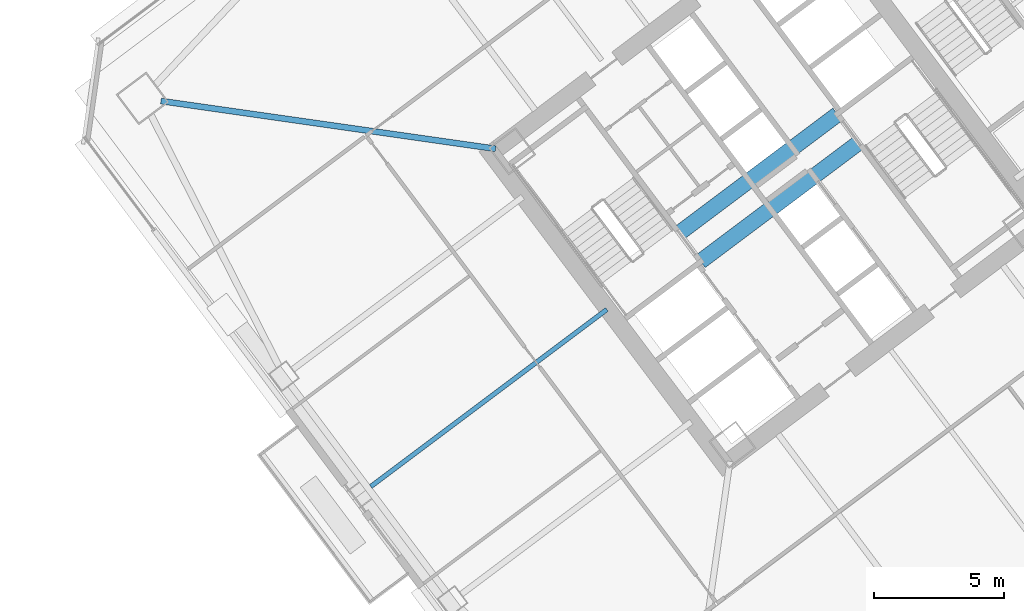
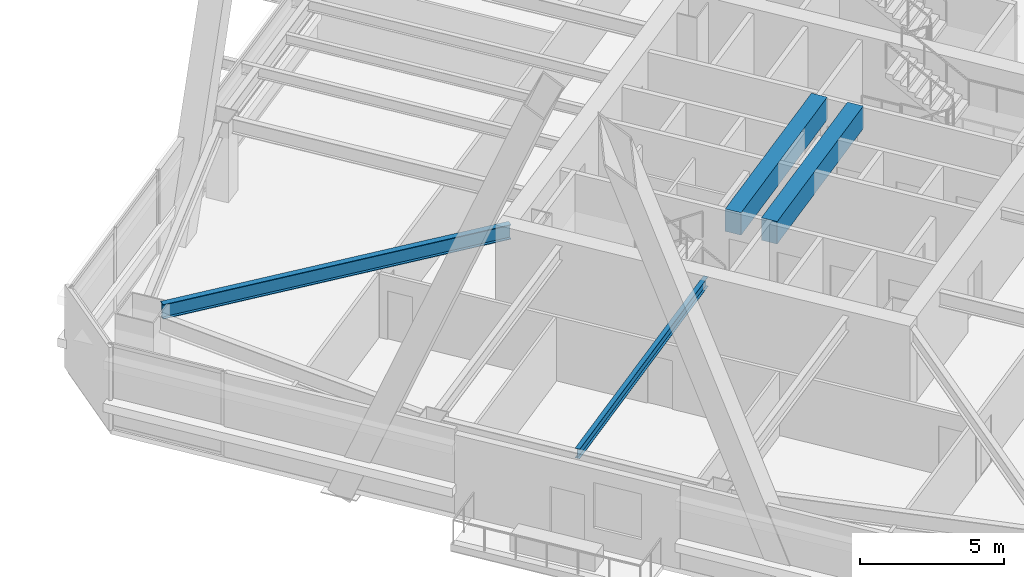
# One storey, part 27 of 54: 4 beams.
"""IFC4 building model written with IfcOpenShell, lengths in metres."""

from ifc_helpers import new_model, si_unit, direction, frame, origin, origin_2d, place, context, subcontext, project, spatial, rectangle, i_section, extrude, material, material_profile, profile_set, type_object, element, save


model = new_model("IFC4")

# Units and contexts
model_context = context("Model", 3, precision=1e-05, world=origin(), true_north=direction((0.0, 1.0)))
body_context = subcontext(model_context, "Body", "Model", "MODEL_VIEW")
ifc_project = project(units=[si_unit("LENGTHUNIT", "METRE"), si_unit("AREAUNIT", "SQUARE_METRE"), si_unit("VOLUMEUNIT", "CUBIC_METRE"), si_unit("PLANEANGLEUNIT", "RADIAN"), si_unit("MASSUNIT", "GRAM", prefix="KILO")], contexts=[model_context])

# Site, building, storey
site_placement = place(None, origin())
site = spatial("IfcSite", under=ifc_project, at=site_placement, CompositionType="ELEMENT")
building_placement = place(site_placement, origin())
building = spatial("IfcBuilding", under=site, at=building_placement, Name="Tashvorn Skyway Center", CompositionType="ELEMENT")
storey_placement = place(building_placement, frame((0.0, 0.0, 88.5)))
storey = spatial("IfcBuildingStorey", under=building, at=storey_placement, Name="L23", CompositionType="ELEMENT", Elevation=88.5)

# Beams
ifc_material_1 = material(Name="Steel ASTM A992 Grade 50", Category="steel")
ifc_material_profile_1 = material_profile(ifc_material_1, i_section(OverallWidth=0.22998046875, OverallDepth=0.616943359375, WebThickness=0.01318359375, FlangeThickness=0.022216796875, at=origin_2d()), Name="W24X94")
ifc_profile_set_1 = profile_set([ifc_material_profile_1], Name="Steel ASTM A992 Grade 50")
beam_type_1 = type_object("IfcBeamType", Name="BM-BEAM-W24X94", PredefinedType="BEAM", material=ifc_profile_set_1)
beam_1_placement = place(storey_placement, frame((90.6328125, 35.338134765625, 3.04150390625), z_axis=(0.989949869571, -0.141418724841, 0.0), x_axis=(0.141418724841, 0.989949869571, 0.0)))
element("IfcBeam", 1, at=beam_1_placement, inside=storey, type_object=beam_type_1, Name="Tower 2 L23 Primary Floor Girder MC-NW", PredefinedType="BEAM", context=body_context, shape_type="SweptSolid", body=[
    extrude(i_section(OverallWidth=0.22998046875, OverallDepth=0.616943359375, WebThickness=0.01318359375, FlangeThickness=0.022216796875, at=origin_2d()), origin(), (0.0, 0.0, 1.0), 12.9892578125),
])
ifc_material_profile_2 = material_profile(ifc_material_1, i_section(OverallWidth=0.177978515625, OverallDepth=0.406005859375, WebThickness=0.0078125, FlangeThickness=0.0126953125, at=origin_2d()), Name="W16X40")
ifc_profile_set_2 = profile_set([ifc_material_profile_2], Name="Steel ASTM A992 Grade 50")
beam_type_2 = type_object("IfcBeamType", Name="BM-JOIST-W16X40", PredefinedType="JOIST", material=ifc_profile_set_2)
beam_2_placement = place(storey_placement, frame((107.76806640625, 27.325927734375, 3.14697265625), z_axis=(-0.800002583493, -0.599996555327, 0.0), x_axis=(0.599996555327, -0.800002583493, 0.0)))
element("IfcBeam", 2, at=beam_2_placement, inside=storey, type_object=beam_type_2, Name="Tower 2 L23 Secondary Composite Joist JW", PredefinedType="JOIST", context=body_context, shape_type="SweptSolid", body=[
    extrude(i_section(OverallWidth=0.177978515625, OverallDepth=0.406005859375, WebThickness=0.0078125, FlangeThickness=0.0126953125, at=origin_2d()), origin(), (0.0, 0.0, 1.0), 11.340087890625),
])
ifc_material_2 = material(Name="Concrete C60/75", Category="concrete")
ifc_material_profile_3 = material_profile(ifc_material_2, rectangle(XDim=0.60009765625, YDim=0.949951171875, at=origin_2d()), Name="RCB600x950")
ifc_profile_set_3 = profile_set([ifc_material_profile_3], Name="Concrete C60/75")
beam_type_3 = type_object("IfcBeamType", Name="BM-LINTEL-RCB600x950", PredefinedType="LINTEL", material=ifc_profile_set_3)
for number, where, z_axis, x_axis, name in (
    (3, (110.552001953125, 30.263916015625, 2.875), (0.8, 0.6, 0.0), (-0.6, 0.8, 0.0), "Tower 2 L23 Core Coupling Beam CN"),
    (4, (111.367919921875, 29.176025390625, 2.875), (0.8, 0.6, 0.0), (-0.6, 0.8, 0.0), "Tower 2 L23 Core Coupling Beam CS"),
):
    element("IfcBeam", number, at=place(storey_placement, frame(where, z_axis=z_axis, x_axis=x_axis)), inside=storey, type_object=beam_type_3, Name=name, PredefinedType="LINTEL", context=body_context, shape_type="SweptSolid", body=[
        extrude(rectangle(XDim=0.60009765625, YDim=0.949951171875, at=origin_2d()), origin(), (0.0, 0.0, 1.0), 7.60009765625),
    ])

save(model, "model.ifc")
